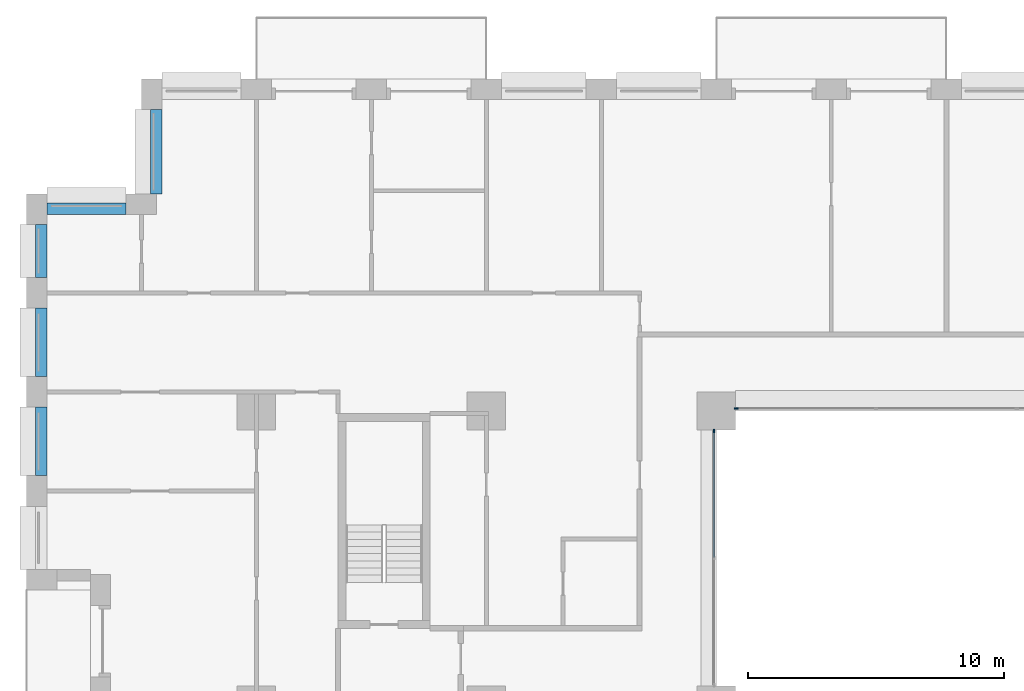
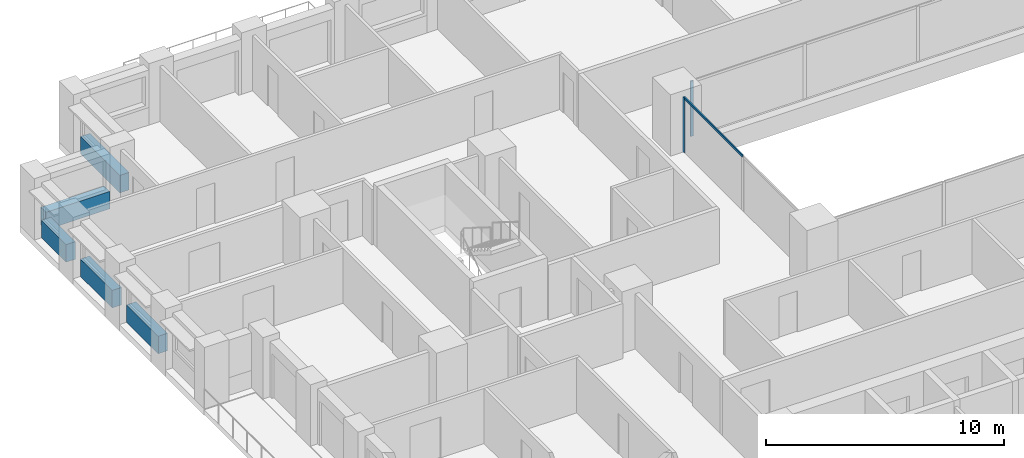
# One storey, part 5 of 19: 5 beams, 3 members, 2 elements without a shape of their own.
"""IFC4 building model written with IfcOpenShell, lengths in metres."""

from ifc_helpers import new_model, si_unit, direction, frame, origin, origin_2d, place, context, subcontext, project, spatial, rectangle, extrude, material, layer, layer_set, material_profile, profile_set, type_object, element, aggregate, save


model = new_model("IFC4")

# Units and contexts
model_context = context("Model", 3, precision=1e-05, world=origin(), true_north=direction((0.0, 1.0)))
body_context = subcontext(model_context, "Body", "Model", "MODEL_VIEW")
ifc_project = project(units=[si_unit("LENGTHUNIT", "METRE"), si_unit("AREAUNIT", "SQUARE_METRE"), si_unit("VOLUMEUNIT", "CUBIC_METRE"), si_unit("PLANEANGLEUNIT", "RADIAN"), si_unit("MASSUNIT", "GRAM", prefix="KILO")], contexts=[model_context])

# Site, building, storey
site_placement = place(None, origin())
site = spatial("IfcSite", under=ifc_project, at=site_placement, CompositionType="ELEMENT")
building_placement = place(site_placement, origin())
building = spatial("IfcBuilding", under=site, at=building_placement, Name="Brigalow Station Residences", CompositionType="ELEMENT")
storey_placement = place(building_placement, frame((0.0, 0.0, 19.5)))
storey = spatial("IfcBuildingStorey", under=building, at=storey_placement, Name="L04", CompositionType="ELEMENT", Elevation=19.5)

# Curtain wall, member
ifc_material_1 = material(Name="Aluminium", Category="aluminium")
ifc_layer = layer(ifc_material_1, 0.14990234375)
ifc_layer_set = layer_set([ifc_layer], Name="ATRIUM FIRE-RATED GLAZING CURTAIN WALL")
curtain_wall_type = type_object("IfcCurtainWallType", Name="ATRIUM FIRE-RATED GLAZING CURTAIN WALL", PredefinedType="NOTDEFINED", material=ifc_layer_set)
curtain_wall_1_placement = place(storey_placement, origin())
curtain_wall_1 = element("IfcCurtainWall", 1, at=curtain_wall_1_placement, inside=storey, type_object=curtain_wall_type, Name="L04/cw/atrium-N", PredefinedType="NOTDEFINED")
ifc_material_2 = material(Name="Aluminium", Category="aluminium")
ifc_material_profile_1 = material_profile(ifc_material_2, rectangle(XDim=0.06005859375, YDim=0.14990234375, at=origin_2d()), Name="ATRIUM FIRE-RATED GLAZING MULLION 60x150")
ifc_profile_set_1 = profile_set([ifc_material_profile_1], Name="Aluminium")
member_type_1 = type_object("IfcMemberType", Name="ATRIUM FIRE-RATED GLAZING MULLION 60x150", PredefinedType="MULLION", material=ifc_profile_set_1)
member_1_placement = place(storey_placement, frame((27.780029296875, 35.60009765625, 0.0), z_axis=(0.0, 0.0, 1.0), x_axis=(0.0, -1.0, 0.0)))
member_1 = element("IfcMember", 2, at=member_1_placement, type_object=member_type_1, Name="L04/cw/atrium-N/M03", PredefinedType="MULLION", context=body_context, shape_type="SweptSolid", body=[
    extrude(rectangle(XDim=0.06005859375, YDim=0.14990234375, at=origin_2d()), origin(), (0.0, 0.0, 1.0), 2.830078125),
])
aggregate(curtain_wall_1, [member_1])

# Curtain wall, members
curtain_wall_2_placement = place(storey_placement, origin())
curtain_wall_2 = element("IfcCurtainWall", 3, at=curtain_wall_2_placement, inside=storey, type_object=curtain_wall_type, Name="L04/cw/atrium-W", PredefinedType="NOTDEFINED")
member_2_placement = place(storey_placement, frame((26.89990234375, 34.719970703125, 0.0), z_axis=(0.0, 0.0, 1.0), x_axis=(1.0, 0.0, 0.0)))
member_2 = element("IfcMember", 4, at=member_2_placement, type_object=member_type_1, Name="L04/cw/atrium-W/M00", PredefinedType="MULLION", context=body_context, shape_type="SweptSolid", body=[
    extrude(rectangle(XDim=0.06005859375, YDim=0.14990234375, at=origin_2d()), origin(), (0.0, 0.0, 1.0), 2.830078125),
])
ifc_material_3 = material(Name="Aluminium", Category="aluminium")
ifc_material_profile_2 = material_profile(ifc_material_3, rectangle(XDim=0.06005859375, YDim=0.1201171875, at=origin_2d()), Name="ATRIUM FIRE-RATED GLAZING TRANSOM 60x120")
ifc_profile_set_2 = profile_set([ifc_material_profile_2], Name="Aluminium")
member_type_2 = type_object("IfcMemberType", Name="ATRIUM FIRE-RATED GLAZING TRANSOM 60x120", PredefinedType="USERDEFINED", material=ifc_profile_set_2)
member_3_placement = place(storey_placement, frame((26.89990234375, 34.68994140625, 2.800048828125), z_axis=(0.0, -1.0, 0.0), x_axis=(1.0, 0.0, 0.0)))
member_3 = element("IfcMember", 5, at=member_3_placement, type_object=member_type_2, Name="L04/cw/atrium-W/T00-00", ObjectType="TRANSOM", PredefinedType="USERDEFINED", context=body_context, shape_type="SweptSolid", body=[
    extrude(rectangle(XDim=0.06005859375, YDim=0.1201171875, at=origin_2d()), origin(), (0.0, 0.0, 1.0), 4.909912109375),
])
aggregate(curtain_wall_2, [member_2, member_3])

# Beams
ifc_material_4 = material(Name="Concrete C65", Category="concrete")
ifc_material_profile_3 = material_profile(ifc_material_4, rectangle(XDim=0.449951171875, YDim=0.89990234375, at=origin_2d()), Name="RC450x900")
ifc_profile_set_3 = profile_set([ifc_material_profile_3], Name="Concrete C65")
beam_type = type_object("IfcBeamType", Name="SPANDREL BEAM 450x900 C65", PredefinedType="SPANDREL", material=ifc_profile_set_3)
beam_1_placement = place(storey_placement, frame((5.074951171875, 47.300048828125, 0.449951171875), z_axis=(0.0, -1.0, 0.0), x_axis=(1.0, 0.0, 0.0)))
element("IfcBeam", 6, at=beam_1_placement, inside=storey, type_object=beam_type, Name="L04/spandrel/W-L04-40", PredefinedType="SPANDREL", context=body_context, shape_type="SweptSolid", body=[
    extrude(rectangle(XDim=0.449951171875, YDim=0.89990234375, at=origin_2d()), origin(), (0.0, 0.0, 1.0), 3.300048828125),
])
beam_2_placement = place(storey_placement, frame((3.89990234375, 43.425048828125, 0.449951171875), z_axis=(-1.0, 0.0, 0.0), x_axis=(0.0, -1.0, 0.0)))
element("IfcBeam", 7, at=beam_2_placement, inside=storey, type_object=beam_type, Name="L04/spandrel/W-L04-41", PredefinedType="SPANDREL", context=body_context, shape_type="SweptSolid", body=[
    extrude(rectangle(XDim=0.449951171875, YDim=0.89990234375, at=origin_2d()), origin(), (0.0, 0.0, 1.0), 3.099853515625),
])
beam_3_placement = place(storey_placement, frame((0.574951171875, 42.800048828125, 0.449951171875), z_axis=(0.0, -1.0, 0.0), x_axis=(1.0, 0.0, 0.0)))
element("IfcBeam", 8, at=beam_3_placement, inside=storey, type_object=beam_type, Name="L04/spandrel/W-L04-42", PredefinedType="SPANDREL", context=body_context, shape_type="SweptSolid", body=[
    extrude(rectangle(XDim=0.449951171875, YDim=0.89990234375, at=origin_2d()), origin(), (0.0, 0.0, 1.0), 2.074951171875),
])
for number, where, z_axis, x_axis, name in (
    (9, (0.574951171875, 39.52490234375, 0.449951171875), (0.0, -1.0, 0.0), (1.0, 0.0, 0.0), "L04/spandrel/W-L04-43"),
    (10, (0.574951171875, 35.64990234375, 0.449951171875), (0.0, -1.0, 0.0), (1.0, 0.0, 0.0), "L04/spandrel/W-L04-44"),
):
    element("IfcBeam", number, at=place(storey_placement, frame(where, z_axis=z_axis, x_axis=x_axis)), inside=storey, type_object=beam_type, Name=name, PredefinedType="SPANDREL", context=body_context, shape_type="SweptSolid", body=[
        extrude(rectangle(XDim=0.449951171875, YDim=0.89990234375, at=origin_2d()), origin(), (0.0, 0.0, 1.0), 2.6748046875),
    ])

save(model, "model.ifc")
